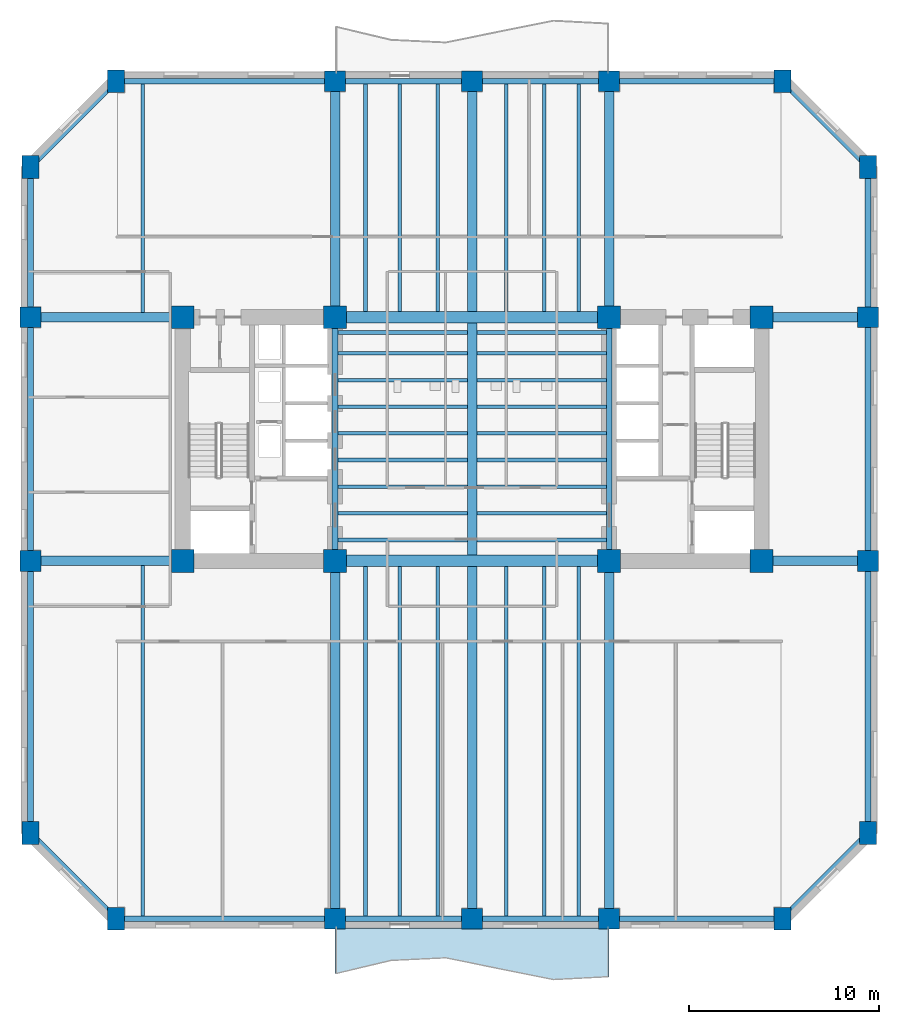
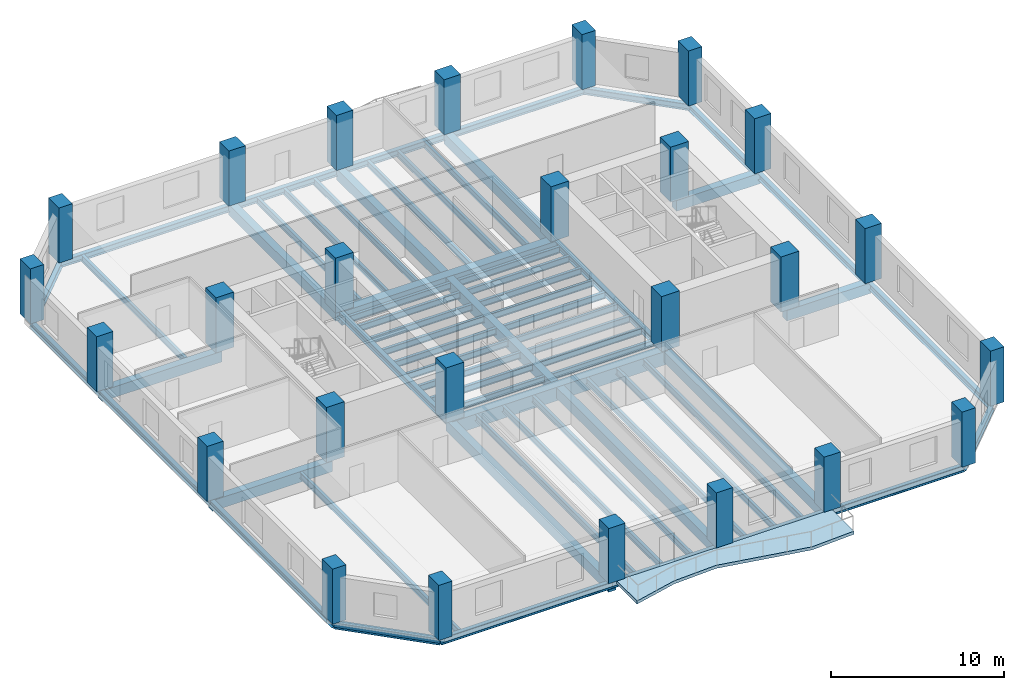
# One storey, part 1 of 10: 65 beams, 26 columns, 1 slab.
"""IFC4 building model written with IfcOpenShell, lengths in metres."""

from ifc_helpers import new_model, si_unit, direction, frame, origin, origin_2d, place, context, subcontext, project, spatial, polyline, rectangle, i_section, outline, extrude, material, layer, layer_set, material_profile, profile_set, type_object, element, save


model = new_model("IFC4")

# Units and contexts
model_context = context("Model", 3, precision=1e-05, world=origin(), true_north=direction((0.0, 1.0)))
body_context = subcontext(model_context, "Body", "Model", "MODEL_VIEW")
ifc_project = project(units=[si_unit("LENGTHUNIT", "METRE"), si_unit("AREAUNIT", "SQUARE_METRE"), si_unit("VOLUMEUNIT", "CUBIC_METRE"), si_unit("PLANEANGLEUNIT", "RADIAN"), si_unit("MASSUNIT", "GRAM", prefix="KILO")], contexts=[model_context])

# Site, building, storey
site_placement = place(None, origin())
site = spatial("IfcSite", under=ifc_project, at=site_placement, CompositionType="ELEMENT")
building_placement = place(site_placement, origin())
building = spatial("IfcBuilding", under=site, at=building_placement, Name="Kranthara Brick Stack", CompositionType="ELEMENT")
storey_placement = place(building_placement, frame((0.0, 0.0, 36.0)))
storey = spatial("IfcBuildingStorey", under=building, at=storey_placement, Name="L08", CompositionType="ELEMENT", Elevation=36.0)

# Columns
ifc_material_1 = material(Name="Concrete C70/85", Category="concrete")
ifc_material_profile_1 = material_profile(ifc_material_1, rectangle(XDim=0.89990234375, YDim=1.199951171875, at=origin_2d()), Name="RC 900x1200")
ifc_profile_set_1 = profile_set([ifc_material_profile_1], Name="Concrete C70/85")
column_type_1 = type_object("IfcColumnType", Name="COL-CHAM-900x1200", PredefinedType="COLUMN", material=ifc_profile_set_1)
for number, where, z_axis, x_axis, name in (
    (1, (9.300048828125, 2.0, 0.0), (0.0, 0.0, 1.0), (1.0, 0.0, 0.0), "L08 Column 09"),
    (2, (9.300048828125, 46.0, 0.0), (0.0, 0.0, 1.0), (1.0, 0.0, 0.0), "L08 Column 10"),
    (3, (44.300048828125, 2.0, 0.0), (0.0, 0.0, 1.0), (1.0, 0.0, 0.0), "L08 Column 17"),
    (4, (44.300048828125, 46.0, 0.0), (0.0, 0.0, 1.0), (1.0, 0.0, 0.0), "L08 Column 18"),
    (5, (4.800048828125, 6.5, 0.0), (0.0, 0.0, 1.0), (1.0, 0.0, 0.0), "L08 Column 19"),
    (6, (48.800048828125, 6.5, 0.0), (0.0, 0.0, 1.0), (1.0, 0.0, 0.0), "L08 Column 20"),
    (7, (4.800048828125, 41.5, 0.0), (0.0, 0.0, 1.0), (1.0, 0.0, 0.0), "L08 Column 25"),
    (8, (48.800048828125, 41.5, 0.0), (0.0, 0.0, 1.0), (1.0, 0.0, 0.0), "L08 Column 26"),
):
    element("IfcColumn", number, at=place(storey_placement, frame(where, z_axis=z_axis, x_axis=x_axis)), inside=storey, type_object=column_type_1, Name=name, PredefinedType="COLUMN", context=body_context, shape_type="SweptSolid", body=[
        extrude(rectangle(XDim=0.89990234375, YDim=1.199951171875, at=origin_2d()), origin(), (0.0, 0.0, 1.0), 3.89990234375),
    ])
ifc_material_2 = material(Name="Concrete C70/85", Category="concrete")
ifc_material_profile_2 = material_profile(ifc_material_2, rectangle(XDim=1.199951171875, YDim=1.199951171875, at=origin_2d()), Name="RC 1200x1200")
ifc_profile_set_2 = profile_set([ifc_material_profile_2], Name="Concrete C70/85")
column_type_2 = type_object("IfcColumnType", Name="COL-CORE-1200", PredefinedType="COLUMN", material=ifc_profile_set_2)
for number, where, z_axis, x_axis, name in (
    (9, (12.800048828125, 20.800048828125, 0.0), (0.0, 0.0, 1.0), (1.0, 0.0, 0.0), "L08 Column 01"),
    (10, (20.800048828125, 20.800048828125, 0.0), (0.0, 0.0, 1.0), (1.0, 0.0, 0.0), "L08 Column 02"),
    (11, (12.800048828125, 33.60009765625, 0.0), (0.0, 0.0, 1.0), (1.0, 0.0, 0.0), "L08 Column 03"),
    (12, (20.800048828125, 33.60009765625, 0.0), (0.0, 0.0, 1.0), (1.0, 0.0, 0.0), "L08 Column 04"),
    (13, (35.199951171875, 20.800048828125, 0.0), (0.0, 0.0, 1.0), (1.0, 0.0, 0.0), "L08 Column 05"),
    (14, (43.199951171875, 20.800048828125, 0.0), (0.0, 0.0, 1.0), (1.0, 0.0, 0.0), "L08 Column 06"),
    (15, (35.199951171875, 33.60009765625, 0.0), (0.0, 0.0, 1.0), (1.0, 0.0, 0.0), "L08 Column 07"),
    (16, (43.199951171875, 33.60009765625, 0.0), (0.0, 0.0, 1.0), (1.0, 0.0, 0.0), "L08 Column 08"),
):
    element("IfcColumn", number, at=place(storey_placement, frame(where, z_axis=z_axis, x_axis=x_axis)), inside=storey, type_object=column_type_2, Name=name, PredefinedType="COLUMN", context=body_context, shape_type="SweptSolid", body=[
        extrude(rectangle(XDim=1.199951171875, YDim=1.199951171875, at=origin_2d()), origin(), (0.0, 0.0, 1.0), 3.89990234375),
    ])
ifc_material_3 = material(Name="Concrete C70/85", Category="concrete")
ifc_material_profile_3 = material_profile(ifc_material_3, rectangle(XDim=1.10009765625, YDim=1.10009765625, at=origin_2d()), Name="RC 1100x1100")
ifc_profile_set_3 = profile_set([ifc_material_profile_3], Name="Concrete C70/85")
column_type_3 = type_object("IfcColumnType", Name="COL-PER-1100", PredefinedType="COLUMN", material=ifc_profile_set_3)
for number, where, z_axis, x_axis, name in (
    (17, (20.800048828125, 2.0, 0.0), (0.0, 0.0, 1.0), (1.0, 0.0, 0.0), "L08 Column 11"),
    (18, (20.800048828125, 46.0, 0.0), (0.0, 0.0, 1.0), (1.0, 0.0, 0.0), "L08 Column 12"),
    (19, (28.0, 2.0, 0.0), (0.0, 0.0, 1.0), (1.0, 0.0, 0.0), "L08 Column 13"),
    (20, (28.0, 46.0, 0.0), (0.0, 0.0, 1.0), (1.0, 0.0, 0.0), "L08 Column 14"),
    (21, (35.199951171875, 2.0, 0.0), (0.0, 0.0, 1.0), (1.0, 0.0, 0.0), "L08 Column 15"),
    (22, (35.199951171875, 46.0, 0.0), (0.0, 0.0, 1.0), (1.0, 0.0, 0.0), "L08 Column 16"),
    (23, (4.800048828125, 20.800048828125, 0.0), (0.0, 0.0, 1.0), (1.0, 0.0, 0.0), "L08 Column 21"),
    (24, (48.800048828125, 20.800048828125, 0.0), (0.0, 0.0, 1.0), (1.0, 0.0, 0.0), "L08 Column 22"),
    (25, (4.800048828125, 33.60009765625, 0.0), (0.0, 0.0, 1.0), (1.0, 0.0, 0.0), "L08 Column 23"),
    (26, (48.800048828125, 33.60009765625, 0.0), (0.0, 0.0, 1.0), (1.0, 0.0, 0.0), "L08 Column 24"),
):
    element("IfcColumn", number, at=place(storey_placement, frame(where, z_axis=z_axis, x_axis=x_axis)), inside=storey, type_object=column_type_3, Name=name, PredefinedType="COLUMN", context=body_context, shape_type="SweptSolid", body=[
        extrude(rectangle(XDim=1.10009765625, YDim=1.10009765625, at=origin_2d()), origin(), (0.0, 0.0, 1.0), 3.89990234375),
    ])

# Beams
ifc_material_4 = material(Name="Concrete C60/75", Category="concrete")
ifc_material_profile_4 = material_profile(ifc_material_4, rectangle(XDim=0.60009765625, YDim=0.949951171875, at=origin_2d()), Name="RC 600x950")
ifc_profile_set_4 = profile_set([ifc_material_profile_4], Name="Concrete C60/75")
beam_type_1 = type_object("IfcBeamType", Name="BM-CPL-RC950", PredefinedType="LINTEL", material=ifc_profile_set_4)
for number, where, z_axis, x_axis, name in (
    (27, (20.800048828125, 20.800048828125, -0.77490234375), (1.0, 0.0, 0.0), (0.0, 1.0, 0.0), "L08 Core Coupling Beam 001"),
    (28, (20.800048828125, 33.60009765625, -0.77490234375), (1.0, 0.0, 0.0), (0.0, 1.0, 0.0), "L08 Core Coupling Beam 002"),
):
    element("IfcBeam", number, at=place(storey_placement, frame(where, z_axis=z_axis, x_axis=x_axis)), inside=storey, type_object=beam_type_1, Name=name, PredefinedType="LINTEL", context=body_context, shape_type="SweptSolid", body=[
        extrude(rectangle(XDim=0.60009765625, YDim=0.949951171875, at=origin_2d()), origin(), (0.0, 0.0, 1.0), 14.39990234375),
    ])
ifc_material_5 = material(Name="Post-tensioned concrete C45/55", Category="concrete")
ifc_material_profile_5 = material_profile(ifc_material_5, rectangle(XDim=0.5, YDim=0.75, at=origin_2d()), Name="PT 500x750")
ifc_profile_set_5 = profile_set([ifc_material_profile_5], Name="Post-tensioned concrete C45/55")
beam_type_2 = type_object("IfcBeamType", Name="BM-FLR-PT750", PredefinedType="BEAM", material=ifc_profile_set_5)
beam_1_placement = place(storey_placement, frame((20.800048828125, 2.0, -0.675048828125), z_axis=(0.0, 1.0, 0.0), x_axis=(-1.0, 0.0, 0.0)))
element("IfcBeam", 29, at=beam_1_placement, inside=storey, type_object=beam_type_2, Name="L08 Primary Grid Girder 023", PredefinedType="BEAM", context=body_context, shape_type="SweptSolid", body=[
    extrude(rectangle(XDim=0.5, YDim=0.75, at=origin_2d()), origin(), (0.0, 0.0, 1.0), 18.800048828125),
])
beam_2_placement = place(storey_placement, frame((20.800048828125, 33.60009765625, -0.675048828125), z_axis=(0.0, 1.0, 0.0), x_axis=(-1.0, 0.0, 0.0)))
element("IfcBeam", 30, at=beam_2_placement, inside=storey, type_object=beam_type_2, Name="L08 Primary Grid Girder 024", PredefinedType="BEAM", context=body_context, shape_type="SweptSolid", body=[
    extrude(rectangle(XDim=0.5, YDim=0.75, at=origin_2d()), origin(), (0.0, 0.0, 1.0), 12.39990234375),
])
beam_3_placement = place(storey_placement, frame((28.0, 2.0, -0.675048828125), z_axis=(0.0, 1.0, 0.0), x_axis=(-1.0, 0.0, 0.0)))
element("IfcBeam", 31, at=beam_3_placement, inside=storey, type_object=beam_type_2, Name="L08 Primary Grid Girder 025", PredefinedType="BEAM", context=body_context, shape_type="SweptSolid", body=[
    extrude(rectangle(XDim=0.5, YDim=0.75, at=origin_2d()), origin(), (0.0, 0.0, 1.0), 18.5),
])
beam_4_placement = place(storey_placement, frame((28.0, 21.10009765625, -0.675048828125), z_axis=(0.0, 1.0, 0.0), x_axis=(-1.0, 0.0, 0.0)))
element("IfcBeam", 32, at=beam_4_placement, inside=storey, type_object=beam_type_2, Name="L08 Central Spine Girder 026", PredefinedType="BEAM", context=body_context, shape_type="SweptSolid", body=[
    extrude(rectangle(XDim=0.5, YDim=0.75, at=origin_2d()), origin(), (0.0, 0.0, 1.0), 12.199951171875),
])
beam_5_placement = place(storey_placement, frame((28.0, 33.89990234375, -0.675048828125), z_axis=(0.0, 1.0, 0.0), x_axis=(-1.0, 0.0, 0.0)))
element("IfcBeam", 33, at=beam_5_placement, inside=storey, type_object=beam_type_2, Name="L08 Primary Grid Girder 027", PredefinedType="BEAM", context=body_context, shape_type="SweptSolid", body=[
    extrude(rectangle(XDim=0.5, YDim=0.75, at=origin_2d()), origin(), (0.0, 0.0, 1.0), 12.10009765625),
])
beam_6_placement = place(storey_placement, frame((35.199951171875, 2.0, -0.675048828125), z_axis=(0.0, 1.0, 0.0), x_axis=(-1.0, 0.0, 0.0)))
element("IfcBeam", 34, at=beam_6_placement, inside=storey, type_object=beam_type_2, Name="L08 Primary Grid Girder 028", PredefinedType="BEAM", context=body_context, shape_type="SweptSolid", body=[
    extrude(rectangle(XDim=0.5, YDim=0.75, at=origin_2d()), origin(), (0.0, 0.0, 1.0), 18.800048828125),
])
beam_7_placement = place(storey_placement, frame((35.199951171875, 33.60009765625, -0.675048828125), z_axis=(0.0, 1.0, 0.0), x_axis=(-1.0, 0.0, 0.0)))
element("IfcBeam", 35, at=beam_7_placement, inside=storey, type_object=beam_type_2, Name="L08 Primary Grid Girder 029", PredefinedType="BEAM", context=body_context, shape_type="SweptSolid", body=[
    extrude(rectangle(XDim=0.5, YDim=0.75, at=origin_2d()), origin(), (0.0, 0.0, 1.0), 12.39990234375),
])
beam_8_placement = place(storey_placement, frame((4.800048828125, 20.800048828125, -0.675048828125), z_axis=(1.0, 0.0, 0.0), x_axis=(0.0, 1.0, 0.0)))
element("IfcBeam", 36, at=beam_8_placement, inside=storey, type_object=beam_type_2, Name="L08 Primary Grid Girder 030", PredefinedType="BEAM", context=body_context, shape_type="SweptSolid", body=[
    extrude(rectangle(XDim=0.5, YDim=0.75, at=origin_2d()), origin(), (0.0, 0.0, 1.0), 8.0),
])
beam_9_placement = place(storey_placement, frame((43.199951171875, 20.800048828125, -0.675048828125), z_axis=(1.0, 0.0, 0.0), x_axis=(0.0, 1.0, 0.0)))
element("IfcBeam", 37, at=beam_9_placement, inside=storey, type_object=beam_type_2, Name="L08 Primary Grid Girder 031", PredefinedType="BEAM", context=body_context, shape_type="SweptSolid", body=[
    extrude(rectangle(XDim=0.5, YDim=0.75, at=origin_2d()), origin(), (0.0, 0.0, 1.0), 5.60009765625),
])
beam_10_placement = place(storey_placement, frame((4.800048828125, 33.60009765625, -0.675048828125), z_axis=(1.0, 0.0, 0.0), x_axis=(0.0, 1.0, 0.0)))
element("IfcBeam", 38, at=beam_10_placement, inside=storey, type_object=beam_type_2, Name="L08 Primary Grid Girder 032", PredefinedType="BEAM", context=body_context, shape_type="SweptSolid", body=[
    extrude(rectangle(XDim=0.5, YDim=0.75, at=origin_2d()), origin(), (0.0, 0.0, 1.0), 8.0),
])
beam_11_placement = place(storey_placement, frame((43.199951171875, 33.60009765625, -0.675048828125), z_axis=(1.0, 0.0, 0.0), x_axis=(0.0, 1.0, 0.0)))
element("IfcBeam", 39, at=beam_11_placement, inside=storey, type_object=beam_type_2, Name="L08 Primary Grid Girder 033", PredefinedType="BEAM", context=body_context, shape_type="SweptSolid", body=[
    extrude(rectangle(XDim=0.5, YDim=0.75, at=origin_2d()), origin(), (0.0, 0.0, 1.0), 5.60009765625),
])
ifc_material_6 = material(Name="Steel S355", Category="steel")
ifc_material_profile_6 = material_profile(ifc_material_6, i_section(OverallWidth=0.18994140625, OverallDepth=0.449951171875, WebThickness=0.009521484375, FlangeThickness=0.0146484375, at=origin_2d()), Name="IPE 450")
ifc_profile_set_6 = profile_set([ifc_material_profile_6], Name="Steel S355")
beam_type_3 = type_object("IfcBeamType", Name="BM-JST-IPE450", PredefinedType="JOIST", material=ifc_profile_set_6)
for number, where, z_axis, x_axis, name in (
    (40, (20.949951171875, 21.89990234375, -0.52490234375), (1.0, 0.0, 0.0), (0.0, 1.0, 0.0), "L08 Central Floor Joist 034"),
    (41, (28.25, 21.89990234375, -0.52490234375), (1.0, 0.0, 0.0), (0.0, 1.0, 0.0), "L08 Central Floor Joist 035"),
    (42, (20.949951171875, 23.300048828125, -0.52490234375), (1.0, 0.0, 0.0), (0.0, 1.0, 0.0), "L08 Central Floor Joist 036"),
    (43, (28.25, 23.300048828125, -0.52490234375), (1.0, 0.0, 0.0), (0.0, 1.0, 0.0), "L08 Central Floor Joist 037"),
    (44, (20.949951171875, 24.699951171875, -0.52490234375), (1.0, 0.0, 0.0), (0.0, 1.0, 0.0), "L08 Central Floor Joist 038"),
    (45, (28.25, 24.699951171875, -0.52490234375), (1.0, 0.0, 0.0), (0.0, 1.0, 0.0), "L08 Central Floor Joist 039"),
    (46, (20.949951171875, 26.10009765625, -0.52490234375), (1.0, 0.0, 0.0), (0.0, 1.0, 0.0), "L08 Central Floor Joist 040"),
    (47, (28.25, 26.10009765625, -0.52490234375), (1.0, 0.0, 0.0), (0.0, 1.0, 0.0), "L08 Central Floor Joist 041"),
    (48, (20.949951171875, 27.5, -0.52490234375), (1.0, 0.0, 0.0), (0.0, 1.0, 0.0), "L08 Central Floor Joist 042"),
    (49, (28.25, 27.5, -0.52490234375), (1.0, 0.0, 0.0), (0.0, 1.0, 0.0), "L08 Central Floor Joist 043"),
    (50, (20.949951171875, 28.89990234375, -0.52490234375), (1.0, 0.0, 0.0), (0.0, 1.0, 0.0), "L08 Central Floor Joist 044"),
    (51, (28.25, 28.89990234375, -0.52490234375), (1.0, 0.0, 0.0), (0.0, 1.0, 0.0), "L08 Central Floor Joist 045"),
    (52, (20.949951171875, 30.300048828125, -0.52490234375), (1.0, 0.0, 0.0), (0.0, 1.0, 0.0), "L08 Central Floor Joist 046"),
    (53, (28.25, 30.300048828125, -0.52490234375), (1.0, 0.0, 0.0), (0.0, 1.0, 0.0), "L08 Central Floor Joist 047"),
    (54, (20.949951171875, 31.699951171875, -0.52490234375), (1.0, 0.0, 0.0), (0.0, 1.0, 0.0), "L08 Central Floor Joist 048"),
    (55, (28.25, 31.699951171875, -0.52490234375), (1.0, 0.0, 0.0), (0.0, 1.0, 0.0), "L08 Central Floor Joist 049"),
    (56, (20.949951171875, 32.800048828125, -0.52490234375), (1.0, 0.0, 0.0), (0.0, 1.0, 0.0), "L08 Central Floor Joist 050"),
    (57, (28.25, 32.800048828125, -0.52490234375), (1.0, 0.0, 0.0), (0.0, 1.0, 0.0), "L08 Central Floor Joist 051"),
):
    element("IfcBeam", number, at=place(storey_placement, frame(where, z_axis=z_axis, x_axis=x_axis)), inside=storey, type_object=beam_type_3, Name=name, PredefinedType="JOIST", context=body_context, shape_type="SweptSolid", body=[
        extrude(i_section(OverallWidth=0.18994140625, OverallDepth=0.449951171875, WebThickness=0.009521484375, FlangeThickness=0.0146484375, at=origin_2d()), origin(), (0.0, 0.0, 1.0), 6.800048828125),
    ])
beam_12_placement = place(storey_placement, frame((10.699951171875, 2.14990234375, -0.52490234375), z_axis=(0.0, 1.0, 0.0), x_axis=(-1.0, 0.0, 0.0)))
element("IfcBeam", 58, at=beam_12_placement, inside=storey, type_object=beam_type_3, Name="L08 South Wing Floor Joist 052", PredefinedType="JOIST", context=body_context, shape_type="SweptSolid", body=[
    extrude(i_section(OverallWidth=0.18994140625, OverallDepth=0.449951171875, WebThickness=0.009521484375, FlangeThickness=0.0146484375, at=origin_2d()), origin(), (0.0, 0.0, 1.0), 18.400146484375),
])
beam_13_placement = place(storey_placement, frame((10.699951171875, 33.85009765625, -0.52490234375), z_axis=(0.0, 1.0, 0.0), x_axis=(-1.0, 0.0, 0.0)))
element("IfcBeam", 59, at=beam_13_placement, inside=storey, type_object=beam_type_3, Name="L08 North Wing Floor Joist 053", PredefinedType="JOIST", context=body_context, shape_type="SweptSolid", body=[
    extrude(i_section(OverallWidth=0.18994140625, OverallDepth=0.449951171875, WebThickness=0.009521484375, FlangeThickness=0.0146484375, at=origin_2d()), origin(), (0.0, 0.0, 1.0), 12.0),
])
beam_14_placement = place(storey_placement, frame((22.39990234375, 2.14990234375, -0.52490234375), z_axis=(0.0, 1.0, 0.0), x_axis=(-1.0, 0.0, 0.0)))
element("IfcBeam", 60, at=beam_14_placement, inside=storey, type_object=beam_type_3, Name="L08 South Wing Floor Joist 054", PredefinedType="JOIST", context=body_context, shape_type="SweptSolid", body=[
    extrude(i_section(OverallWidth=0.18994140625, OverallDepth=0.449951171875, WebThickness=0.009521484375, FlangeThickness=0.0146484375, at=origin_2d()), origin(), (0.0, 0.0, 1.0), 18.35009765625),
])
beam_15_placement = place(storey_placement, frame((22.39990234375, 33.89990234375, -0.52490234375), z_axis=(0.0, 1.0, 0.0), x_axis=(-1.0, 0.0, 0.0)))
element("IfcBeam", 61, at=beam_15_placement, inside=storey, type_object=beam_type_3, Name="L08 North Wing Floor Joist 055", PredefinedType="JOIST", context=body_context, shape_type="SweptSolid", body=[
    extrude(i_section(OverallWidth=0.18994140625, OverallDepth=0.449951171875, WebThickness=0.009521484375, FlangeThickness=0.0146484375, at=origin_2d()), origin(), (0.0, 0.0, 1.0), 11.9501953125),
])
beam_16_placement = place(storey_placement, frame((24.199951171875, 2.14990234375, -0.52490234375), z_axis=(0.0, 1.0, 0.0), x_axis=(-1.0, 0.0, 0.0)))
element("IfcBeam", 62, at=beam_16_placement, inside=storey, type_object=beam_type_3, Name="L08 South Wing Floor Joist 056", PredefinedType="JOIST", context=body_context, shape_type="SweptSolid", body=[
    extrude(i_section(OverallWidth=0.18994140625, OverallDepth=0.449951171875, WebThickness=0.009521484375, FlangeThickness=0.0146484375, at=origin_2d()), origin(), (0.0, 0.0, 1.0), 18.35009765625),
])
beam_17_placement = place(storey_placement, frame((24.199951171875, 33.89990234375, -0.52490234375), z_axis=(0.0, 1.0, 0.0), x_axis=(-1.0, 0.0, 0.0)))
element("IfcBeam", 63, at=beam_17_placement, inside=storey, type_object=beam_type_3, Name="L08 North Wing Floor Joist 057", PredefinedType="JOIST", context=body_context, shape_type="SweptSolid", body=[
    extrude(i_section(OverallWidth=0.18994140625, OverallDepth=0.449951171875, WebThickness=0.009521484375, FlangeThickness=0.0146484375, at=origin_2d()), origin(), (0.0, 0.0, 1.0), 11.9501953125),
])
beam_18_placement = place(storey_placement, frame((26.199951171875, 2.14990234375, -0.52490234375), z_axis=(0.0, 1.0, 0.0), x_axis=(-1.0, 0.0, 0.0)))
element("IfcBeam", 64, at=beam_18_placement, inside=storey, type_object=beam_type_3, Name="L08 South Wing Floor Joist 058", PredefinedType="JOIST", context=body_context, shape_type="SweptSolid", body=[
    extrude(i_section(OverallWidth=0.18994140625, OverallDepth=0.449951171875, WebThickness=0.009521484375, FlangeThickness=0.0146484375, at=origin_2d()), origin(), (0.0, 0.0, 1.0), 18.35009765625),
])
beam_19_placement = place(storey_placement, frame((26.199951171875, 33.89990234375, -0.52490234375), z_axis=(0.0, 1.0, 0.0), x_axis=(-1.0, 0.0, 0.0)))
element("IfcBeam", 65, at=beam_19_placement, inside=storey, type_object=beam_type_3, Name="L08 North Wing Floor Joist 059", PredefinedType="JOIST", context=body_context, shape_type="SweptSolid", body=[
    extrude(i_section(OverallWidth=0.18994140625, OverallDepth=0.449951171875, WebThickness=0.009521484375, FlangeThickness=0.0146484375, at=origin_2d()), origin(), (0.0, 0.0, 1.0), 11.9501953125),
])
beam_20_placement = place(storey_placement, frame((29.800048828125, 2.14990234375, -0.52490234375), z_axis=(0.0, 1.0, 0.0), x_axis=(-1.0, 0.0, 0.0)))
element("IfcBeam", 66, at=beam_20_placement, inside=storey, type_object=beam_type_3, Name="L08 South Wing Floor Joist 060", PredefinedType="JOIST", context=body_context, shape_type="SweptSolid", body=[
    extrude(i_section(OverallWidth=0.18994140625, OverallDepth=0.449951171875, WebThickness=0.009521484375, FlangeThickness=0.0146484375, at=origin_2d()), origin(), (0.0, 0.0, 1.0), 18.35009765625),
])
beam_21_placement = place(storey_placement, frame((29.800048828125, 33.89990234375, -0.52490234375), z_axis=(0.0, 1.0, 0.0), x_axis=(-1.0, 0.0, 0.0)))
element("IfcBeam", 67, at=beam_21_placement, inside=storey, type_object=beam_type_3, Name="L08 North Wing Floor Joist 061", PredefinedType="JOIST", context=body_context, shape_type="SweptSolid", body=[
    extrude(i_section(OverallWidth=0.18994140625, OverallDepth=0.449951171875, WebThickness=0.009521484375, FlangeThickness=0.0146484375, at=origin_2d()), origin(), (0.0, 0.0, 1.0), 11.9501953125),
])
beam_22_placement = place(storey_placement, frame((31.800048828125, 2.14990234375, -0.52490234375), z_axis=(0.0, 1.0, 0.0), x_axis=(-1.0, 0.0, 0.0)))
element("IfcBeam", 68, at=beam_22_placement, inside=storey, type_object=beam_type_3, Name="L08 South Wing Floor Joist 062", PredefinedType="JOIST", context=body_context, shape_type="SweptSolid", body=[
    extrude(i_section(OverallWidth=0.18994140625, OverallDepth=0.449951171875, WebThickness=0.009521484375, FlangeThickness=0.0146484375, at=origin_2d()), origin(), (0.0, 0.0, 1.0), 18.35009765625),
])
beam_23_placement = place(storey_placement, frame((31.800048828125, 33.89990234375, -0.52490234375), z_axis=(0.0, 1.0, 0.0), x_axis=(-1.0, 0.0, 0.0)))
element("IfcBeam", 69, at=beam_23_placement, inside=storey, type_object=beam_type_3, Name="L08 North Wing Floor Joist 063", PredefinedType="JOIST", context=body_context, shape_type="SweptSolid", body=[
    extrude(i_section(OverallWidth=0.18994140625, OverallDepth=0.449951171875, WebThickness=0.009521484375, FlangeThickness=0.0146484375, at=origin_2d()), origin(), (0.0, 0.0, 1.0), 11.9501953125),
])
beam_24_placement = place(storey_placement, frame((33.60009765625, 2.14990234375, -0.52490234375), z_axis=(0.0, 1.0, 0.0), x_axis=(-1.0, 0.0, 0.0)))
element("IfcBeam", 70, at=beam_24_placement, inside=storey, type_object=beam_type_3, Name="L08 South Wing Floor Joist 064", PredefinedType="JOIST", context=body_context, shape_type="SweptSolid", body=[
    extrude(i_section(OverallWidth=0.18994140625, OverallDepth=0.449951171875, WebThickness=0.009521484375, FlangeThickness=0.0146484375, at=origin_2d()), origin(), (0.0, 0.0, 1.0), 18.35009765625),
])
beam_25_placement = place(storey_placement, frame((33.60009765625, 33.89990234375, -0.52490234375), z_axis=(0.0, 1.0, 0.0), x_axis=(-1.0, 0.0, 0.0)))
element("IfcBeam", 71, at=beam_25_placement, inside=storey, type_object=beam_type_3, Name="L08 North Wing Floor Joist 065", PredefinedType="JOIST", context=body_context, shape_type="SweptSolid", body=[
    extrude(i_section(OverallWidth=0.18994140625, OverallDepth=0.449951171875, WebThickness=0.009521484375, FlangeThickness=0.0146484375, at=origin_2d()), origin(), (0.0, 0.0, 1.0), 11.9501953125),
])
ifc_material_7 = material(Name="Steel S355", Category="steel")
ifc_material_profile_7 = material_profile(ifc_material_7, i_section(OverallWidth=0.300048828125, OverallDepth=0.449951171875, WebThickness=0.013916015625, FlangeThickness=0.02587890625, at=origin_2d()), Name="HEB 450")
ifc_profile_set_7 = profile_set([ifc_material_profile_7], Name="Steel S355")
beam_type_4 = type_object("IfcBeamType", Name="BM-STL-HEB450", PredefinedType="SPANDREL", material=ifc_profile_set_7)
for number, where, z_axis, x_axis, name in (
    (72, (20.800048828125, 20.800048828125, -0.52490234375), (0.0, 1.0, 0.0), (-1.0, 0.0, 0.0), "L08 Core Edge Tie Beam 003"),
    (73, (35.199951171875, 20.800048828125, -0.52490234375), (0.0, 1.0, 0.0), (-1.0, 0.0, 0.0), "L08 Core Edge Tie Beam 004"),
):
    element("IfcBeam", number, at=place(storey_placement, frame(where, z_axis=z_axis, x_axis=x_axis)), inside=storey, type_object=beam_type_4, Name=name, PredefinedType="SPANDREL", context=body_context, shape_type="SweptSolid", body=[
        extrude(i_section(OverallWidth=0.300048828125, OverallDepth=0.449951171875, WebThickness=0.013916015625, FlangeThickness=0.02587890625, at=origin_2d()), origin(), (0.0, 0.0, 1.0), 12.800048828125),
    ])
beam_26_placement = place(storey_placement, frame((9.300048828125, 2.0, -0.52490234375), z_axis=(1.0, 0.0, 0.0), x_axis=(0.0, 1.0, 0.0)))
element("IfcBeam", 74, at=beam_26_placement, inside=storey, type_object=beam_type_4, Name="L08 Perimeter Spandrel Beam 005", PredefinedType="SPANDREL", context=body_context, shape_type="SweptSolid", body=[
    extrude(i_section(OverallWidth=0.300048828125, OverallDepth=0.449951171875, WebThickness=0.013916015625, FlangeThickness=0.02587890625, at=origin_2d()), origin(), (0.0, 0.0, 1.0), 11.5),
])
for number, where, z_axis, x_axis, name in (
    (75, (20.800048828125, 2.0, -0.52490234375), (1.0, 0.0, 0.0), (0.0, 1.0, 0.0), "L08 Perimeter Spandrel Beam 006"),
    (76, (28.0, 2.0, -0.52490234375), (1.0, 0.0, 0.0), (0.0, 1.0, 0.0), "L08 Perimeter Spandrel Beam 007"),
):
    element("IfcBeam", number, at=place(storey_placement, frame(where, z_axis=z_axis, x_axis=x_axis)), inside=storey, type_object=beam_type_4, Name=name, PredefinedType="SPANDREL", context=body_context, shape_type="SweptSolid", body=[
        extrude(i_section(OverallWidth=0.300048828125, OverallDepth=0.449951171875, WebThickness=0.013916015625, FlangeThickness=0.02587890625, at=origin_2d()), origin(), (0.0, 0.0, 1.0), 7.199951171875),
    ])
beam_27_placement = place(storey_placement, frame((35.199951171875, 2.0, -0.52490234375), z_axis=(1.0, 0.0, 0.0), x_axis=(0.0, 1.0, 0.0)))
element("IfcBeam", 77, at=beam_27_placement, inside=storey, type_object=beam_type_4, Name="L08 Perimeter Spandrel Beam 008", PredefinedType="SPANDREL", context=body_context, shape_type="SweptSolid", body=[
    extrude(i_section(OverallWidth=0.300048828125, OverallDepth=0.449951171875, WebThickness=0.013916015625, FlangeThickness=0.02587890625, at=origin_2d()), origin(), (0.0, 0.0, 1.0), 9.10009765625),
])
beam_28_placement = place(storey_placement, frame((9.300048828125, 46.0, -0.52490234375), z_axis=(1.0, 0.0, 0.0), x_axis=(0.0, 1.0, 0.0)))
element("IfcBeam", 78, at=beam_28_placement, inside=storey, type_object=beam_type_4, Name="L08 Perimeter Spandrel Beam 009", PredefinedType="SPANDREL", context=body_context, shape_type="SweptSolid", body=[
    extrude(i_section(OverallWidth=0.300048828125, OverallDepth=0.449951171875, WebThickness=0.013916015625, FlangeThickness=0.02587890625, at=origin_2d()), origin(), (0.0, 0.0, 1.0), 11.5),
])
for number, where, z_axis, x_axis, name in (
    (79, (20.800048828125, 46.0, -0.52490234375), (1.0, 0.0, 0.0), (0.0, 1.0, 0.0), "L08 Perimeter Spandrel Beam 010"),
    (80, (28.0, 46.0, -0.52490234375), (1.0, 0.0, 0.0), (0.0, 1.0, 0.0), "L08 Perimeter Spandrel Beam 011"),
):
    element("IfcBeam", number, at=place(storey_placement, frame(where, z_axis=z_axis, x_axis=x_axis)), inside=storey, type_object=beam_type_4, Name=name, PredefinedType="SPANDREL", context=body_context, shape_type="SweptSolid", body=[
        extrude(i_section(OverallWidth=0.300048828125, OverallDepth=0.449951171875, WebThickness=0.013916015625, FlangeThickness=0.02587890625, at=origin_2d()), origin(), (0.0, 0.0, 1.0), 7.199951171875),
    ])
beam_29_placement = place(storey_placement, frame((35.199951171875, 46.0, -0.52490234375), z_axis=(1.0, 0.0, 0.0), x_axis=(0.0, 1.0, 0.0)))
element("IfcBeam", 81, at=beam_29_placement, inside=storey, type_object=beam_type_4, Name="L08 Perimeter Spandrel Beam 012", PredefinedType="SPANDREL", context=body_context, shape_type="SweptSolid", body=[
    extrude(i_section(OverallWidth=0.300048828125, OverallDepth=0.449951171875, WebThickness=0.013916015625, FlangeThickness=0.02587890625, at=origin_2d()), origin(), (0.0, 0.0, 1.0), 9.10009765625),
])
beam_30_placement = place(storey_placement, frame((4.800048828125, 6.5, -0.52490234375), z_axis=(0.0, 1.0, 0.0), x_axis=(-1.0, 0.0, 0.0)))
element("IfcBeam", 82, at=beam_30_placement, inside=storey, type_object=beam_type_4, Name="L08 Perimeter Spandrel Beam 013", PredefinedType="SPANDREL", context=body_context, shape_type="SweptSolid", body=[
    extrude(i_section(OverallWidth=0.300048828125, OverallDepth=0.449951171875, WebThickness=0.013916015625, FlangeThickness=0.02587890625, at=origin_2d()), origin(), (0.0, 0.0, 1.0), 14.300048828125),
])
beam_31_placement = place(storey_placement, frame((4.800048828125, 20.800048828125, -0.52490234375), z_axis=(0.0, 1.0, 0.0), x_axis=(-1.0, 0.0, 0.0)))
element("IfcBeam", 83, at=beam_31_placement, inside=storey, type_object=beam_type_4, Name="L08 Perimeter Spandrel Beam 014", PredefinedType="SPANDREL", context=body_context, shape_type="SweptSolid", body=[
    extrude(i_section(OverallWidth=0.300048828125, OverallDepth=0.449951171875, WebThickness=0.013916015625, FlangeThickness=0.02587890625, at=origin_2d()), origin(), (0.0, 0.0, 1.0), 12.800048828125),
])
beam_32_placement = place(storey_placement, frame((4.800048828125, 33.60009765625, -0.52490234375), z_axis=(0.0, 1.0, 0.0), x_axis=(-1.0, 0.0, 0.0)))
element("IfcBeam", 84, at=beam_32_placement, inside=storey, type_object=beam_type_4, Name="L08 Perimeter Spandrel Beam 015", PredefinedType="SPANDREL", context=body_context, shape_type="SweptSolid", body=[
    extrude(i_section(OverallWidth=0.300048828125, OverallDepth=0.449951171875, WebThickness=0.013916015625, FlangeThickness=0.02587890625, at=origin_2d()), origin(), (0.0, 0.0, 1.0), 7.89990234375),
])
beam_33_placement = place(storey_placement, frame((48.800048828125, 6.5, -0.52490234375), z_axis=(0.0, 1.0, 0.0), x_axis=(-1.0, 0.0, 0.0)))
element("IfcBeam", 85, at=beam_33_placement, inside=storey, type_object=beam_type_4, Name="L08 Perimeter Spandrel Beam 016", PredefinedType="SPANDREL", context=body_context, shape_type="SweptSolid", body=[
    extrude(i_section(OverallWidth=0.300048828125, OverallDepth=0.449951171875, WebThickness=0.013916015625, FlangeThickness=0.02587890625, at=origin_2d()), origin(), (0.0, 0.0, 1.0), 14.300048828125),
])
beam_34_placement = place(storey_placement, frame((48.800048828125, 20.800048828125, -0.52490234375), z_axis=(0.0, 1.0, 0.0), x_axis=(-1.0, 0.0, 0.0)))
element("IfcBeam", 86, at=beam_34_placement, inside=storey, type_object=beam_type_4, Name="L08 Perimeter Spandrel Beam 017", PredefinedType="SPANDREL", context=body_context, shape_type="SweptSolid", body=[
    extrude(i_section(OverallWidth=0.300048828125, OverallDepth=0.449951171875, WebThickness=0.013916015625, FlangeThickness=0.02587890625, at=origin_2d()), origin(), (0.0, 0.0, 1.0), 12.800048828125),
])
beam_35_placement = place(storey_placement, frame((48.800048828125, 33.60009765625, -0.52490234375), z_axis=(0.0, 1.0, 0.0), x_axis=(-1.0, 0.0, 0.0)))
element("IfcBeam", 87, at=beam_35_placement, inside=storey, type_object=beam_type_4, Name="L08 Perimeter Spandrel Beam 018", PredefinedType="SPANDREL", context=body_context, shape_type="SweptSolid", body=[
    extrude(i_section(OverallWidth=0.300048828125, OverallDepth=0.449951171875, WebThickness=0.013916015625, FlangeThickness=0.02587890625, at=origin_2d()), origin(), (0.0, 0.0, 1.0), 7.89990234375),
])
for number, where, z_axis, x_axis, name in (
    (88, (9.300048828125, 2.0, -0.52490234375), (-0.707106781187, 0.707106781187, 0.0), (-0.707106781187, -0.707106781187, 0.0), "L08 Chamfer Corner Spandrel 019"),
    (89, (44.300048828125, 2.0, -0.52490234375), (0.707106781187, 0.707106781187, 0.0), (-0.707106781187, 0.707106781187, 0.0), "L08 Chamfer Corner Spandrel 020"),
    (90, (9.300048828125, 46.0, -0.52490234375), (-0.707106781187, -0.707106781187, 0.0), (0.707106781187, -0.707106781187, 0.0), "L08 Chamfer Corner Spandrel 021"),
    (91, (44.300048828125, 46.0, -0.52490234375), (0.707106781187, -0.707106781187, 0.0), (0.707106781187, 0.707106781187, 0.0), "L08 Chamfer Corner Spandrel 022"),
):
    element("IfcBeam", number, at=place(storey_placement, frame(where, z_axis=z_axis, x_axis=x_axis)), inside=storey, type_object=beam_type_4, Name=name, PredefinedType="SPANDREL", context=body_context, shape_type="SweptSolid", body=[
        extrude(i_section(OverallWidth=0.300048828125, OverallDepth=0.449951171875, WebThickness=0.013916015625, FlangeThickness=0.02587890625, at=origin_2d()), origin(), (0.0, 0.0, 1.0), 6.364013671875),
    ])

# Slab
ifc_material_8 = material(Name="Concrete C45/55", Category="concrete")
ifc_layer = layer(ifc_material_8, 0.219970703125)
ifc_layer_set = layer_set([ifc_layer], Name="Concrete C45/55")
slab_type = type_object("IfcSlabType", Name="SLB-BALC-220", PredefinedType="FLOOR", material=ifc_layer_set)
slab_placement = place(storey_placement, frame((0.0, 0.0, -0.219970703125)))
element("IfcSlab", 92, at=slab_placement, inside=storey, type_object=slab_type, Name="L08 South Rippling Balcony Slab", PredefinedType="FLOOR", context=body_context, shape_type="SweptSolid", body=[
    extrude(outline(polyline([(20.800048828125, 1.5), (35.199951171875, 1.5), (35.199951171875, -1.05078125), (32.320068359375, -1.207763671875), (29.43994140625, -0.6318359375), (26.56005859375, -0.04736328125), (23.679931640625, -0.189208984375), (20.800048828125, -0.879150390625), (20.800048828125, 1.5)])), origin(), (0.0, 0.0, 1.0), 0.219970703125),
])

save(model, "model.ifc")
